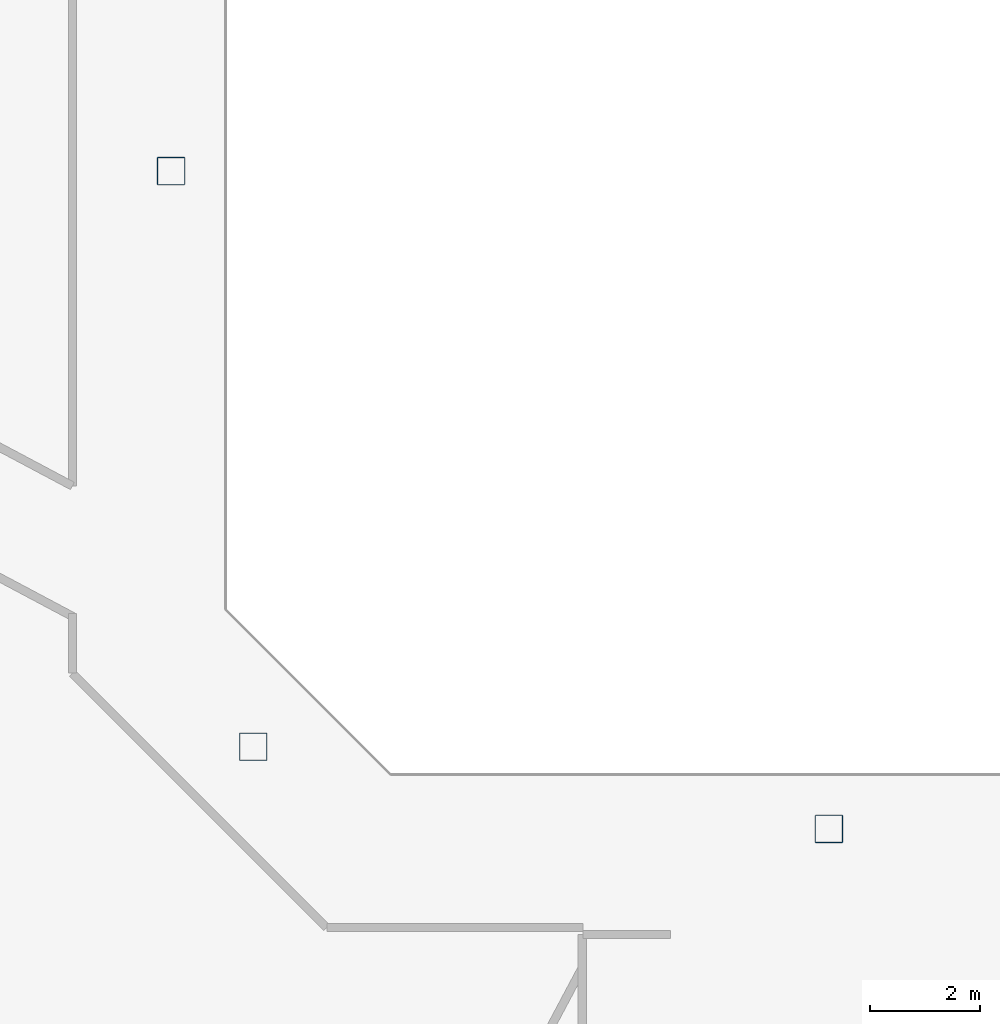
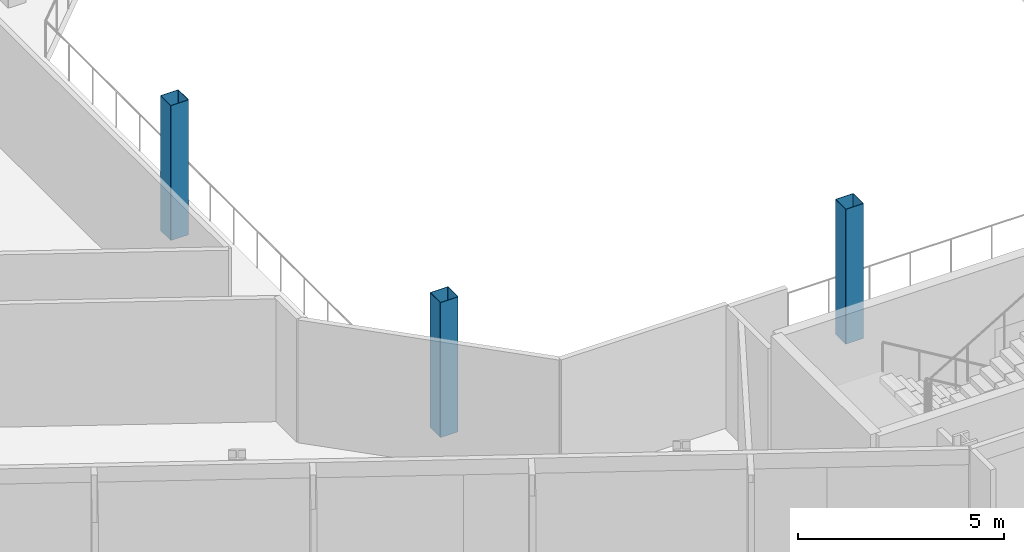
# One storey, part 2 of 28: 3 columns.
"""IFC4 building model written with IfcOpenShell, lengths in metres."""

from ifc_helpers import new_model, si_unit, direction, frame, origin, origin_2d, place, context, subcontext, project, spatial, hollow_rectangle, extrude, material, material_profile, profile_set, type_object, element, save


model = new_model("IFC4")

# Units and contexts
model_context = context("Model", 3, precision=1e-05, world=origin(), true_north=direction((0.0, 1.0)))
body_context = subcontext(model_context, "Body", "Model", "MODEL_VIEW")
ifc_project = project(units=[si_unit("LENGTHUNIT", "METRE"), si_unit("AREAUNIT", "SQUARE_METRE"), si_unit("VOLUMEUNIT", "CUBIC_METRE"), si_unit("PLANEANGLEUNIT", "RADIAN"), si_unit("MASSUNIT", "GRAM", prefix="KILO")], contexts=[model_context])

# Site, building, storey
site_placement = place(None, origin())
site = spatial("IfcSite", under=ifc_project, at=site_placement, CompositionType="ELEMENT")
building_placement = place(site_placement, origin())
building = spatial("IfcBuilding", under=site, at=building_placement, Name="Cormorant Relay Tower", CompositionType="ELEMENT")
storey_placement = place(building_placement, frame((0.0, 0.0, 122.199951171875)))
storey = spatial("IfcBuildingStorey", under=building, at=storey_placement, Name="L24", CompositionType="ELEMENT", Elevation=122.199951171875)

# Columns
ifc_material = material(Name="Steel ASTM A500 Grade C (Fy 345 MPa)", Category="steel")
ifc_material_profile = material_profile(ifc_material, hollow_rectangle(XDim=0.508056640625, YDim=0.508056640625, WallThickness=0.01171875, InnerFilletRadius=0.005859375, OuterFilletRadius=0.017822265625, at=origin_2d()), Name="HSS508x508x12")
ifc_profile_set = profile_set([ifc_material_profile], Name="Steel ASTM A500 Grade C (Fy 345 MPa)")
column_type = type_object("IfcColumnType", Name="Column HSS508x508x12", PredefinedType="COLUMN", material=ifc_profile_set)
for number, where, z_axis, x_axis, name in (
    (1, (0.0, -12.0, 0.0), (0.0, 0.0, 1.0), (1.0, 0.0, 0.0), "Column L24-007"),
    (2, (-10.5, -10.5, 0.0), (0.0, 0.0, 1.0), (1.0, 0.0, 0.0), "Column L24-009"),
    (3, (-12.0, 0.0, 0.0), (0.0, 0.0, 1.0), (1.0, 0.0, 0.0), "Column L24-015"),
):
    element("IfcColumn", number, at=place(storey_placement, frame(where, z_axis=z_axis, x_axis=x_axis)), inside=storey, type_object=column_type, Name=name, PredefinedType="COLUMN", context=body_context, shape_type="SweptSolid", body=[
        extrude(hollow_rectangle(XDim=0.508056640625, YDim=0.508056640625, WallThickness=0.01171875, InnerFilletRadius=0.005859375, OuterFilletRadius=0.017822265625, at=origin_2d()), origin(), (0.0, 0.0, 1.0), 4.0),
    ])

save(model, "model.ifc")
